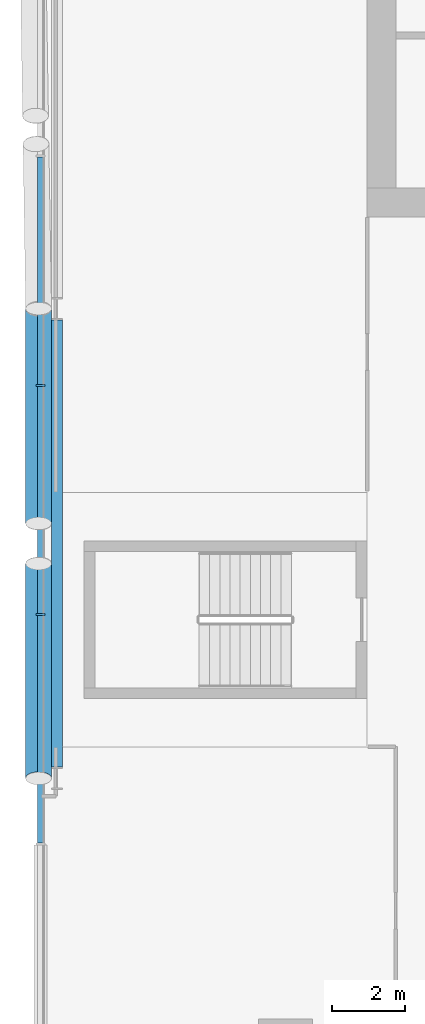
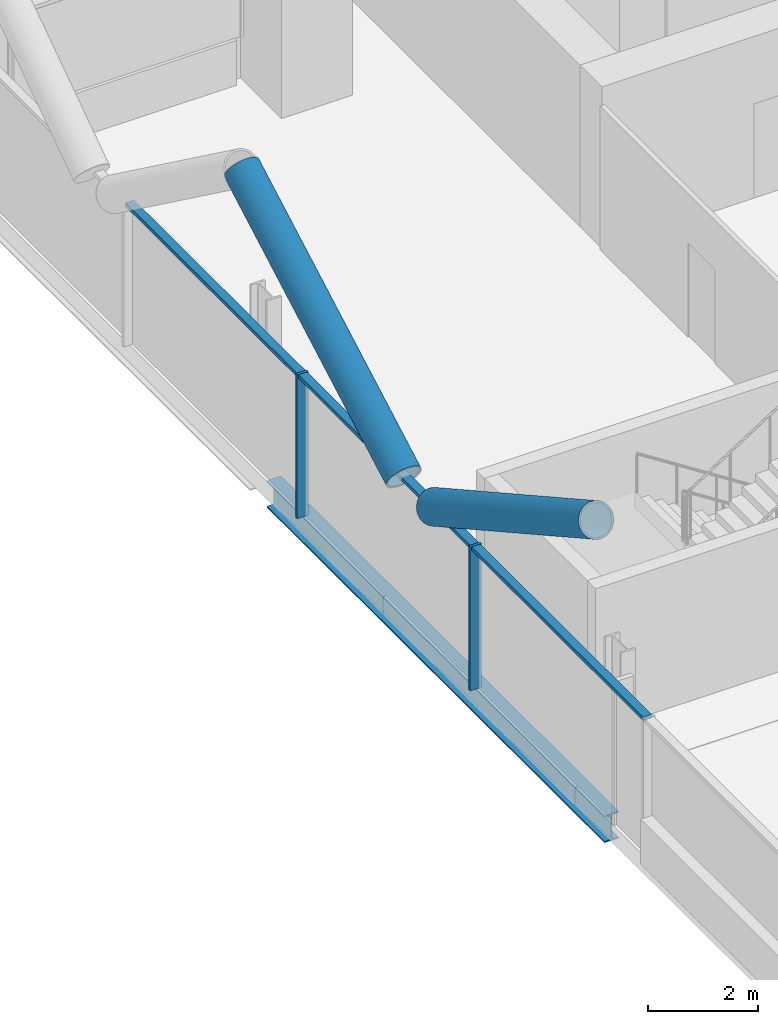
# One storey, part 7 of 27: 7 members, 1 beam, 1 element without a shape of its own.
"""IFC4 building model written with IfcOpenShell, lengths in metres."""

from ifc_helpers import new_model, si_unit, direction, frame, origin, origin_2d, place, context, subcontext, project, spatial, rectangle, hollow_circle, i_section, extrude, material, material_profile, profile_set, type_object, element, aggregate, save


model = new_model("IFC4")

# Units and contexts
model_context = context("Model", 3, precision=1e-05, world=origin(), true_north=direction((0.0, 1.0)))
body_context = subcontext(model_context, "Body", "Model", "MODEL_VIEW")
ifc_project = project(units=[si_unit("LENGTHUNIT", "METRE"), si_unit("AREAUNIT", "SQUARE_METRE"), si_unit("VOLUMEUNIT", "CUBIC_METRE"), si_unit("PLANEANGLEUNIT", "RADIAN"), si_unit("MASSUNIT", "GRAM", prefix="KILO")], contexts=[model_context])

# Site, building, storey
site_placement = place(None, origin())
site = spatial("IfcSite", under=ifc_project, at=site_placement, CompositionType="ELEMENT")
building_placement = place(site_placement, origin())
building = spatial("IfcBuilding", under=site, at=building_placement, Name="Wharfspan Tower", CompositionType="ELEMENT")
storey_placement = place(building_placement, frame((0.0, 0.0, 195.100098)))
storey = spatial("IfcBuildingStorey", under=building, at=storey_placement, Name="L48", CompositionType="ELEMENT", Elevation=195.100098)

# Beam
ifc_material_1 = material(Name="Steel S355J2", Category="steel")
ifc_material_profile_1 = material_profile(ifc_material_1, i_section(OverallWidth=0.300049, OverallDepth=0.600098, WebThickness=0.015381, FlangeThickness=0.030029, FilletRadius=0.0271, at=origin_2d()))
ifc_profile_set_1 = profile_set([ifc_material_profile_1], Name="Steel S355J2")
beam_type = type_object("IfcBeamType", Name="Edge beam HEB 600", PredefinedType="SPANDREL", material=ifc_profile_set_1)
beam_placement = place(storey_placement, frame((7.449951, 31.160645, -0.700195), z_axis=(0.0, -1.0, 0.0), x_axis=(1.0, 0.0, 0.0)))
element("IfcBeam", 1, at=beam_placement, inside=storey, type_object=beam_type, Name="Edge beam W L48 PW.1 to PW.2", PredefinedType="SPANDREL", context=body_context, shape_type="SweptSolid", body=[
    extrude(i_section(OverallWidth=0.300049, OverallDepth=0.600098, WebThickness=0.015381, FlangeThickness=0.030029, FilletRadius=0.0271, at=origin_2d()), origin(), (0.0, 0.0, 1.0), 12.321289),
])

# Curtain wall, members
ifc_material_2 = material(Name="Aluminium 6063-T6", Category="aluminium")
curtain_wall_type = type_object("IfcCurtainWallType", Name="CURTAIN WALL PROW AND END", PredefinedType="NOTDEFINED", material=ifc_material_2)
curtain_wall_placement = place(storey_placement, origin())
curtain_wall = element("IfcCurtainWall", 2, at=curtain_wall_placement, inside=storey, type_object=curtain_wall_type, Name="Curtain wall W", PredefinedType="NOTDEFINED")
ifc_material_profile_2 = material_profile(ifc_material_2, rectangle(XDim=0.23999, YDim=0.060059, at=origin_2d()))
ifc_profile_set_2 = profile_set([ifc_material_profile_2], Name="Aluminium 6063-T6")
member_type_1 = type_object("IfcMemberType", Name="MULLION PROW AND END 60x240", PredefinedType="MULLION", material=ifc_profile_set_2)
member_1_placement = place(storey_placement, frame((7.0, 29.360107, 0.0), z_axis=(0.0, 0.0, 1.0), x_axis=(1.0, 0.0, 0.0)))
member_1 = element("IfcMember", 3, at=member_1_placement, type_object=member_type_1, Name="Curtain wall W mullion 3", PredefinedType="MULLION", context=body_context, shape_type="SweptSolid", body=[
    extrude(rectangle(XDim=0.23999, YDim=0.060059, at=origin_2d()), origin(), (0.0, 0.0, 1.0), 3.199951),
])
member_2_placement = place(storey_placement, frame((7.0, 23.040039, 0.0), z_axis=(0.0, 0.0, 1.0), x_axis=(1.0, 0.0, 0.0)))
member_2 = element("IfcMember", 4, at=member_2_placement, type_object=member_type_1, Name="Curtain wall W mullion 4", PredefinedType="MULLION", context=body_context, shape_type="SweptSolid", body=[
    extrude(rectangle(XDim=0.23999, YDim=0.060059, at=origin_2d()), origin(), (0.0, 0.0, 1.0), 3.199951),
])

# Members
ifc_material_3 = material(Name="Steel S460NH", Category="steel")
ifc_material_profile_3 = material_profile(ifc_material_3, hollow_circle(Radius=0.355469, WallThickness=0.035889, at=origin_2d()))
ifc_profile_set_3 = profile_set([ifc_material_profile_3], Name="Steel S460NH")
member_type_2 = type_object("IfcMemberType", Name="Mega brace CHS 711x36", PredefinedType="BRACE", material=ifc_profile_set_3)
for number, where, z_axis, x_axis, name in (
    (5, (6.945068, 24.445557, 3.208496), (0.0, -0.873718, 0.486433), (1.0, 0.0, 0.0), "Mega brace W3 L48 part 2"),
    (6, (6.945068, 25.554443, 3.208496), (0.0, 0.873718, 0.486433), (-1.0, 0.0, 0.0), "Mega brace W3 L48 part 4"),
):
    element("IfcMember", number, at=place(storey_placement, frame(where, z_axis=z_axis, x_axis=x_axis)), inside=storey, type_object=member_type_2, Name=name, PredefinedType="BRACE", context=body_context, shape_type="SweptSolid", body=[
        extrude(hollow_circle(Radius=0.355469, WallThickness=0.035889, at=origin_2d()), origin(), (0.0, 0.0, 1.0), 6.766602),
    ])

# Member
ifc_material_profile_4 = material_profile(ifc_material_2, rectangle(XDim=0.179932, YDim=0.080078, at=origin_2d()))
ifc_profile_set_4 = profile_set([ifc_material_profile_4], Name="Aluminium 6063-T6")
member_type_3 = type_object("IfcMemberType", Name="TRANSOM PROW AND END 80x180", PredefinedType="USERDEFINED", material=ifc_profile_set_4)
member_3_placement = place(storey_placement, frame((7.0, 35.649902, 3.159912), z_axis=(0.0, -1.0, 0.0), x_axis=(1.0, 0.0, 0.0)))
member_3 = element("IfcMember", 7, at=member_3_placement, type_object=member_type_3, Name="Curtain wall W transom 2", ObjectType="TRANSOM", PredefinedType="USERDEFINED", context=body_context, shape_type="SweptSolid", body=[
    extrude(rectangle(XDim=0.179932, YDim=0.080078, at=origin_2d()), origin(), (0.0, 0.0, 1.0), 6.26001),
])

member_4_placement = place(storey_placement, frame((7.0, 29.330078, 3.159912), z_axis=(0.0, -1.0, 0.0), x_axis=(1.0, 0.0, 0.0)))
member_4 = element("IfcMember", 8, at=member_4_placement, type_object=member_type_3, Name="Curtain wall W transom 3", ObjectType="TRANSOM", PredefinedType="USERDEFINED", context=body_context, shape_type="SweptSolid", body=[
    extrude(rectangle(XDim=0.179932, YDim=0.080078, at=origin_2d()), origin(), (0.0, 0.0, 1.0), 6.26001),
])

member_5_placement = place(storey_placement, frame((7.0, 23.01001, 3.159912), z_axis=(0.0, -1.0, 0.0), x_axis=(1.0, 0.0, 0.0)))
member_5 = element("IfcMember", 9, at=member_5_placement, type_object=member_type_3, Name="Curtain wall W transom 4", ObjectType="TRANSOM", PredefinedType="USERDEFINED", context=body_context, shape_type="SweptSolid", body=[
    extrude(rectangle(XDim=0.179932, YDim=0.080078, at=origin_2d()), origin(), (0.0, 0.0, 1.0), 6.26001),
])

aggregate(curtain_wall, [member_1, member_2, member_3, member_4, member_5])

save(model, "model.ifc")
